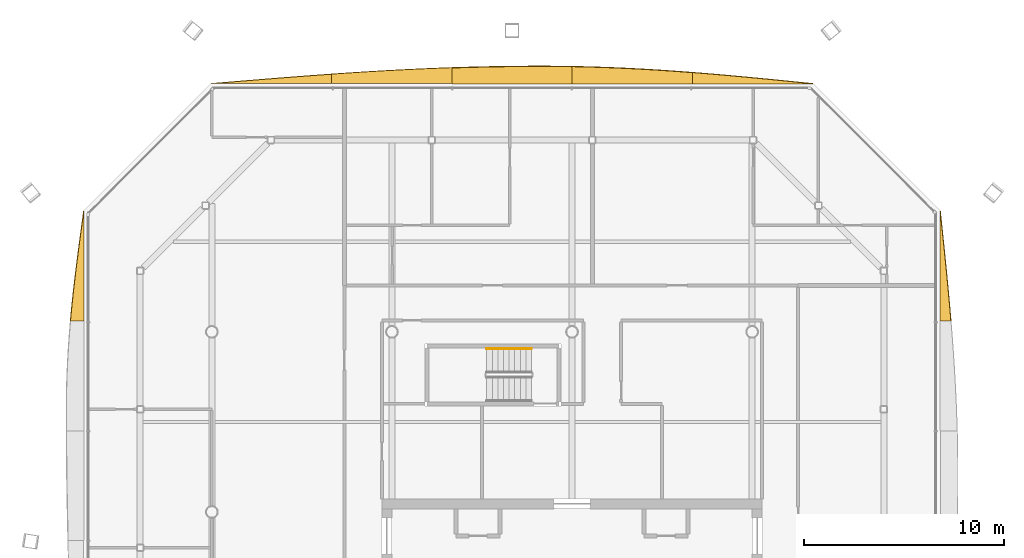
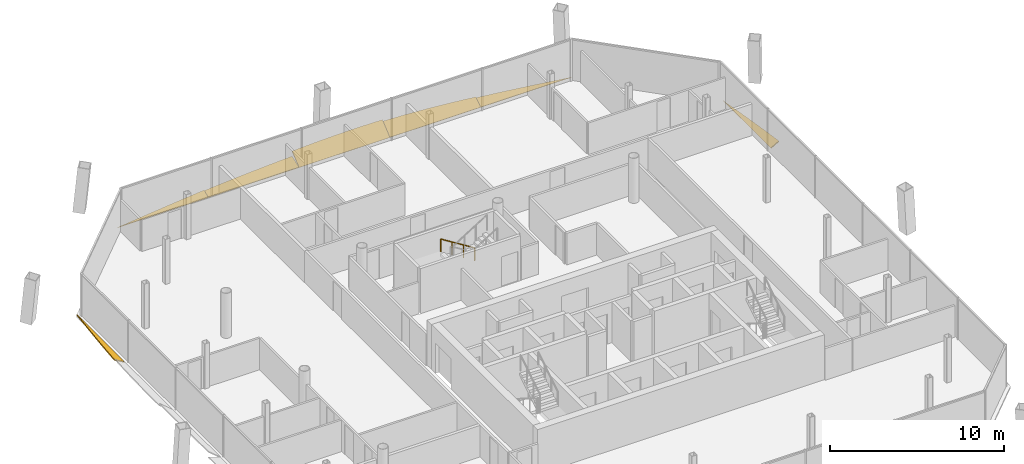
# One storey, part 20 of 20: 7 shading devices, 1 railing.
"""IFC4 building model written with IfcOpenShell, lengths in metres."""

from ifc_helpers import new_model, si_unit, direction, frame, origin, origin_2d, place, context, subcontext, project, spatial, polyline, circle, outline, extrude, material, layer, layer_set, type_object, element, save


model = new_model("IFC4")

# Units and contexts
model_context = context("Model", 3, precision=1e-05, world=origin(), true_north=direction((0.0, 1.0)))
body_context = subcontext(model_context, "Body", "Model", "MODEL_VIEW")
ifc_project = project(units=[si_unit("LENGTHUNIT", "METRE"), si_unit("AREAUNIT", "SQUARE_METRE"), si_unit("VOLUMEUNIT", "CUBIC_METRE"), si_unit("PLANEANGLEUNIT", "RADIAN"), si_unit("MASSUNIT", "GRAM", prefix="KILO")], contexts=[model_context])

# Site, building, storey
site_placement = place(None, origin())
site = spatial("IfcSite", under=ifc_project, at=site_placement, CompositionType="ELEMENT")
building_placement = place(site_placement, origin())
building = spatial("IfcBuilding", under=site, at=building_placement, Name="Tskaro Facet Tower", CompositionType="ELEMENT")
storey_placement = place(building_placement, frame((0.0, 0.0, 175.35009765625)))
storey = spatial("IfcBuildingStorey", under=building, at=storey_placement, Name="L43", CompositionType="ELEMENT", Elevation=175.35009765625)

# Shading devices
ifc_material_1 = material(Name="Bronze anodised aluminium 6063-T6", Category="aluminium")
ifc_layer = layer(ifc_material_1, 0.06005859375, Name="Bronze anodised aluminium 6063-T6")
ifc_layer_set = layer_set([ifc_layer], Name="Bronze anodised aluminium 6063-T6")
shading_device_type = type_object("IfcShadingDeviceType", Name="Bronze sun blade (FN1)", PredefinedType="USERDEFINED", material=ifc_layer_set)
shading_device_1_placement = place(storey_placement, frame((18.39599609375, 9.545166015625, 0.0517578125), z_axis=(-0.500201323431, 2.103982e-06, 0.865909138439), x_axis=(1.052415e-06, 0.999999999998, -1.821858e-06)))
element("IfcShadingDevice", 1, at=shading_device_1_placement, inside=storey, type_object=shading_device_type, Name="Fin blade east 6", ObjectType="FIN", PredefinedType="USERDEFINED", context=body_context, shape_type="SweptSolid", body=[
    extrude(outline(polyline([(0.0, 0.0), (5.48974609373785, 5.812494766833556e-22), (4.8037109374146985, -0.08291296672004511), (4.117431640397463, -0.16528100677985696), (3.4311523436868483, -0.24643707405547371), (2.7448730467689786, -0.32595836135039075), (2.0585937502764944, -0.40338922613889844), (1.3725585938066485, -0.47788405402798767), (0.68627929699902, -0.5491986060902011), (-3.526601082288282e-11, -0.6169100751290342), (0.0, 0.0)])), origin(), (0.0, 0.0, -1.0), 0.06005859375),
])
shading_device_2_placement = place(storey_placement, frame((12.034912109375, 21.39599609375, 0.0517578125), z_axis=(-1.0907201e-05, -0.500289679559, 0.865858092534), x_axis=(-0.999999999941, 5.45676e-06, -9.444088e-06)))
element("IfcShadingDevice", 2, at=shading_device_2_placement, inside=storey, type_object=shading_device_type, Name="Fin blade north 1", ObjectType="FIN", PredefinedType="USERDEFINED", context=body_context, shape_type="SweptSolid", body=[
    extrude(outline(polyline([(0.0, 0.0), (6.013916015267272, 0.0), (6.0139160159804765, -0.6462232138630468), (5.3457031241561275, -0.5845387846871297), (4.67749023479066, -0.5193405336001421), (4.009277344604924, -0.4510841338080811), (3.341064452625446, -0.38010311748188796), (2.672851561516662, -0.3068202668933332), (2.004638671637319, -0.23178050534924316), (1.336425782013949, -0.1553173650205591), (0.6682128893673973, -0.07788651911327812), (0.0, 0.0)])), origin(), (0.0, 0.0, -1.0), 0.06005859375),
])
shading_device_3_placement = place(storey_placement, frame((6.02099609375, 21.3916015625, 0.049072265625), z_axis=(1.0635835e-05, -0.573564211205, 0.819160604223), x_axis=(-0.999999999943, -6.100334e-06, 8.712457e-06)))
element("IfcShadingDevice", 3, at=shading_device_3_placement, inside=storey, type_object=shading_device_type, Name="Fin blade north 2", ObjectType="FIN", PredefinedType="USERDEFINED", context=body_context, shape_type="SweptSolid", body=[
    extrude(outline(polyline([(0.0, 0.0), (6.01391601528485, 0.0), (6.01391601666227, -1.0494809161487544), (5.3457031239716475, -1.0314601892592536), (4.677490234905312, -1.0074192701246967), (4.009277343719796, -0.9772780884769665), (3.3410644531798868, -0.9415166953479835), (2.672851561158521, -0.8999950604127385), (2.0046386719098286, -0.8529932443212498), (1.3364257809657905, -0.8011112182192225), (0.6682128904534714, -0.7444890124316661), (3.728714424637351e-10, -0.6831266269585805), (0.0, 0.0)])), origin(), (0.0, 0.0, -1.0), 0.06005859375),
])
shading_device_4_placement = place(storey_placement, frame((0.007080078125, 21.387451171875, 0.0458984375), z_axis=(-1.0919741e-05, -0.642778740356, 0.766051885205), x_axis=(-0.99999999994, 7.018977e-06, -8.365088e-06)))
element("IfcShadingDevice", 4, at=shading_device_4_placement, inside=storey, type_object=shading_device_type, Name="Fin blade north 3", ObjectType="FIN", PredefinedType="USERDEFINED", context=body_context, shape_type="SweptSolid", body=[
    extrude(outline(polyline([(0.0, 0.0), (6.0141601558914335, 0.0), (6.014160156052034, -1.03958658743873), (5.345947265466774, -1.0673134824742891), (4.677734375069323, -1.0908828480536459), (4.00952148518832, -1.1099507313873358), (3.341308594110149, -1.1243301080893118), (2.6728515608811834, -1.1343649309490378), (2.0046386708359103, -1.1397413431596806), (1.5637207031685352, -1.1406162731246567), (1.3364257816357268, -1.1402723203351925), (0.6682128908393185, -1.1345519553350853), (-1.2246745307817827e-09, -1.1222362953698952), (0.0, 0.0)])), origin(), (0.0, 0.0, -1.0), 0.06005859375),
])
shading_device_5_placement = place(storey_placement, frame((-6.007080078125, 21.405517578125, 0.056396484375), z_axis=(-1.1433021e-05, -0.3418324022, 0.939760931661), x_axis=(-0.999999999935, 3.908177e-06, -1.0744307e-05)))
element("IfcShadingDevice", 5, at=shading_device_5_placement, inside=storey, type_object=shading_device_type, Name="Fin blade north 4", ObjectType="FIN", PredefinedType="USERDEFINED", context=body_context, shape_type="SweptSolid", body=[
    extrude(outline(polyline([(0.0, 0.0), (6.013916015231949, 0.0), (6.013916015303057, -0.5042504014749204), (5.345703125728671, -0.5530589118545214), (4.677490232813229, -0.5996356074904841), (4.009277343471947, -0.6435006890326158), (3.341064453412726, -0.6850505006547857), (2.672851562396254, -0.723513285717006), (2.0046386723308225, -0.7593479118617193), (1.3364257803539943, -0.7918660776252621), (0.6682128909971824, -0.8214431954737529), (-1.2251696413697646e-09, -0.8474744191198518), (0.0, 0.0)])), origin(), (0.0, 0.0, -1.0), 0.06005859375),
])
shading_device_6_placement = place(storey_placement, frame((-12.02099609375, 21.400634765625, 0.05419921875), z_axis=(4.994805e-06, -0.422835755435, 0.906206336273), x_axis=(-0.999999999988, -2.111982e-06, 4.526324e-06)))
element("IfcShadingDevice", 6, at=shading_device_6_placement, inside=storey, type_object=shading_device_type, Name="Fin blade north 5", ObjectType="FIN", PredefinedType="USERDEFINED", context=body_context, shape_type="SweptSolid", body=[
    extrude(outline(polyline([(0.0, 0.0), (6.013916015549983, 0.0), (5.345703125613183, -0.0614888844006004), (4.677490233981887, -0.12255006424867035), (4.009277343381831, -0.18316876053410167), (3.3410644532235785, -0.24302050008996942), (2.6728515624020677, -0.3020020515306681), (2.0046386719485416, -0.3596709312935591), (1.3364257807579396, -0.41592390799303675), (0.6682128909665632, -0.47042172945206806), (-1.513274621559536e-10, -0.5231791746807611), (0.0, 0.0)])), origin(), (0.0, 0.0, -1.0), 0.06005859375),
])
shading_device_7_placement = place(storey_placement, frame((-24.39599609375, 15.034912109375, 0.0517578125), z_axis=(0.500122693222, -4.974793e-06, 0.865954555216), x_axis=(-2.488007e-06, -0.999999999988, -4.307945e-06)))
element("IfcShadingDevice", 7, at=shading_device_7_placement, inside=storey, type_object=shading_device_type, Name="Fin blade west 1", ObjectType="FIN", PredefinedType="USERDEFINED", context=body_context, shape_type="SweptSolid", body=[
    extrude(outline(polyline([(0.0, 0.0), (5.489746093682069, 2.3249979067334225e-21), (5.489746093791926, -0.7693806996439893), (4.803466796711952, -0.6941295372898101), (4.117187500503771, -0.6108830591809358), (3.4311523438519957, -0.5204303954907396), (2.744873046884581, -0.42373930523146197), (2.058593750108409, -0.3222331626354805), (1.3723144527979403, -0.21712392724883822), (0.6860351557237023, -0.1091679433974406), (0.0, 0.0)])), origin(), (0.0, 0.0, -1.0), 0.06005859375),
])

# Railing
ifc_material_2 = material(Name="Stainless steel", Category="steel")
railing_type = type_object("IfcRailingType", Name="RL-HANDRAIL-900", PredefinedType="HANDRAIL", material=ifc_material_2)
railing_placement = place(storey_placement, frame((-2.02490234375, 8.14990234375, 0.1748046875)))
element("IfcRailing", 8, at=railing_placement, inside=storey, type_object=railing_type, Name="L43 ST-3 stair handrail 1", PredefinedType="HANDRAIL", context=body_context, shape_type="SweptSolid", body=[
    extrude(circle(Radius=0.02392578125, at=origin_2d()), frame((0.0, 0.0, 0.8759765625), z_axis=(-0.847972341737, 0.0, 0.530040477369), x_axis=(0.0, -1.0, 0.0)), (0.0, 0.0, 1.0), 2.6416015625),
    extrude(circle(Radius=0.02099609375, at=origin_2d()), origin(), (0.0, 0.0, 1.0), 0.851806640625),
    extrude(circle(Radius=0.02099609375, at=origin_2d()), frame((-0.74658203125, 0.0, 0.466796875)), (0.0, 0.0, 1.0), 0.851806640625),
    extrude(circle(Radius=0.02099609375, at=origin_2d()), frame((-1.493408203125, 0.0, 0.933349609375)), (0.0, 0.0, 1.0), 0.851806640625),
    extrude(circle(Radius=0.02099609375, at=origin_2d()), frame((-2.239990234375, 0.0, 1.400146484375)), (0.0, 0.0, 1.0), 0.851806640625),
])

save(model, "model.ifc")
